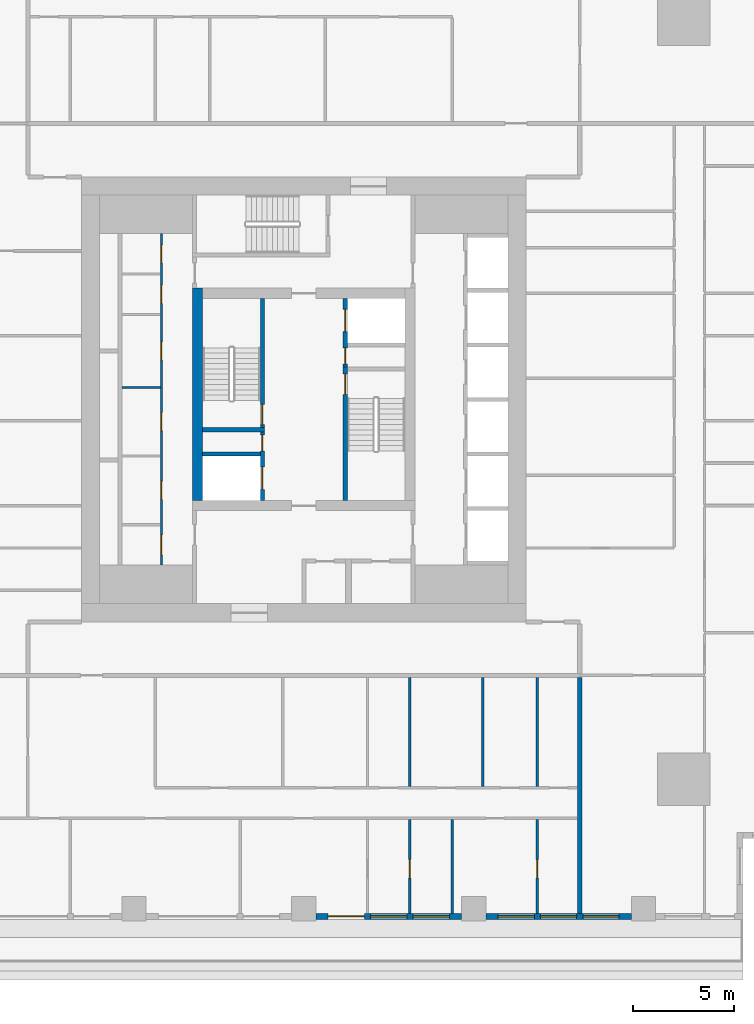
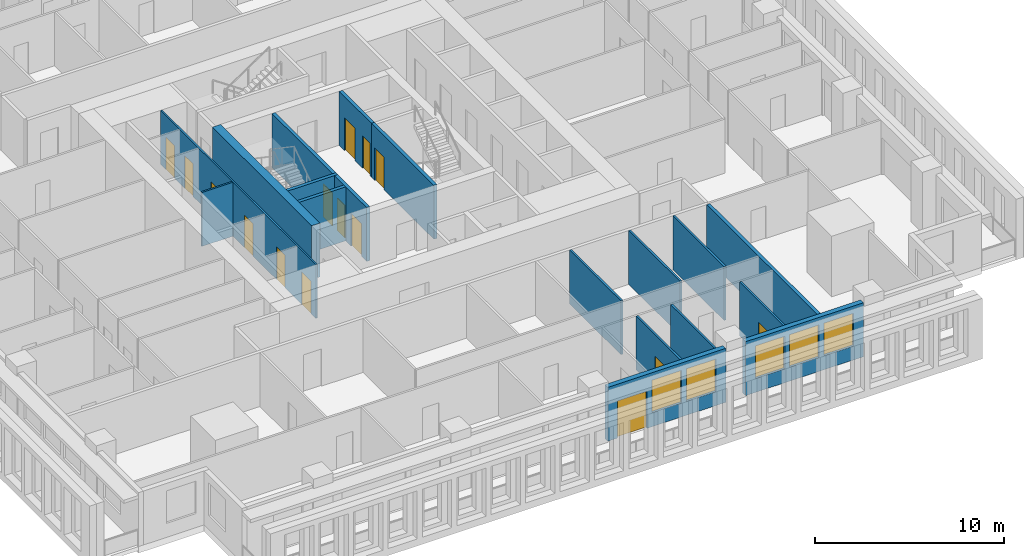
# One storey, part 4 of 16: 18 walls, 15 doors, 5 windows, 20 openings.
"""IFC4 building model written with IfcOpenShell, lengths in metres."""

import ifcopenshell
import ifcopenshell.guid

model = None  # the IFC model being written
_history = None  # IfcOwnerHistory: only IFC2X3 demands one
_inside = {}  # id of a spatial element -> (the spatial element, [elements in it])
_under = {}  # id of a project, library or spatial element -> (it, [spatial elements below it])
_declared = {}  # id of a project -> (the project, [libraries it declares])
_typed = {}  # id of a type object -> (the type object, [elements of that type])
_made_of = {}  # id of a material, layer set ... -> (it, [elements and type objects made of it])


def new_model(schema):
    """Start an empty IFC model of exactly this schema.

    Asked for "IFC4X3", IfcOpenShell would pick the latest addendum, in which some entities
    have other attributes; the version numbers below select the first issue.
    IFC2X3 requires an IfcOwnerHistory on every rooted entity: one is made here for all.
    """
    global model, _history
    if schema == "IFC4X3":
        model = ifcopenshell.file(schema_version=(4, 3, 0, 0))
    else:
        model = ifcopenshell.file(schema=schema)
    _inside.clear()
    _under.clear()
    _declared.clear()
    _typed.clear()
    _made_of.clear()
    _history = None
    if model.schema == "IFC2X3":
        org = make("IfcOrganization", Name="unknown")
        user = make(
            "IfcPersonAndOrganization",
            ThePerson=make("IfcPerson", FamilyName="unknown"),
            TheOrganization=org,
        )
        app = make(
            "IfcApplication",
            ApplicationDeveloper=org,
            Version="unknown",
            ApplicationFullName="unknown",
            ApplicationIdentifier="unknown",
        )
        _history = make(
            "IfcOwnerHistory",
            OwningUser=user,
            OwningApplication=app,
            ChangeAction="ADDED",
            CreationDate=0,
        )
    return model


def make(cls, **values):
    """One entity of the class cls with the attributes given. An attribute that is None is left unset."""
    return model.create_entity(
        cls, **{name: value for name, value in values.items() if value is not None}
    )


def rooted(cls, **values):
    """An entity with a GlobalId (a new one), such as an element, a storey or a relation."""
    return make(cls, GlobalId=ifcopenshell.guid.new(), OwnerHistory=_history, **values)


def si_unit(unit_type, name, prefix=None):
    """IfcSIUnit, for example si_unit("LENGTHUNIT", "METRE", prefix="MILLI")."""
    return make("IfcSIUnit", UnitType=unit_type, Prefix=prefix, Name=name)


def assignment(units):
    """IfcUnitAssignment: the units of a project."""
    return None if units is None else make("IfcUnitAssignment", Units=units)


def point(xyz):
    """IfcCartesianPoint."""
    return None if xyz is None else make("IfcCartesianPoint", Coordinates=xyz)


def direction(xyz):
    """IfcDirection."""
    return None if xyz is None else make("IfcDirection", DirectionRatios=xyz)


def frame(location, z_axis=None, x_axis=None):
    """IfcAxis2Placement3D, a coordinate frame: its origin and axes. An axis left out is left unset."""
    return make(
        "IfcAxis2Placement3D",
        Location=point(location),
        Axis=direction(z_axis),
        RefDirection=direction(x_axis),
    )


def frame_2d(location, x_axis=None):
    """IfcAxis2Placement2D, a coordinate frame in the plane: its origin and x axis."""
    return make(
        "IfcAxis2Placement2D", Location=point(location), RefDirection=direction(x_axis)
    )


def origin():
    """The frame at (0, 0, 0) with its axes left unset."""
    return frame((0.0, 0.0, 0.0))


def place(relative_to, where):
    """IfcLocalPlacement: puts the frame where relative to a parent placement (None: the world)."""
    return make(
        "IfcLocalPlacement", PlacementRelTo=relative_to, RelativePlacement=where
    )


def context(
    kind, dimensions, precision=None, world=None, true_north=None, identifier=None
):
    """IfcGeometricRepresentationContext, for example the 3D "Model" context."""
    return make(
        "IfcGeometricRepresentationContext",
        ContextIdentifier=identifier,
        ContextType=kind,
        CoordinateSpaceDimension=dimensions,
        Precision=precision,
        WorldCoordinateSystem=world,
        TrueNorth=true_north,
    )


def subcontext(parent, identifier, kind, view, scale=None):
    """IfcGeometricRepresentationSubContext, for example "Body" below "Model"."""
    return make(
        "IfcGeometricRepresentationSubContext",
        ContextIdentifier=identifier,
        ContextType=kind,
        ParentContext=parent,
        TargetScale=scale,
        TargetView=view,
    )


def project(units=None, contexts=None):
    """IfcProject with its units and contexts."""
    return rooted(
        "IfcProject",
        Name="project",
        RepresentationContexts=contexts,
        UnitsInContext=assignment(units),
    )


def spatial(cls, under=None, at=None, **own):
    """A site, building, storey or space (cls), placed at a placement, below another one or the project."""
    s = rooted(cls, ObjectPlacement=at, **own)
    if under is not None:
        _under.setdefault(under.id(), (under, []))[1].append(s)
    return s


def profile(cls, at=None, kind="AREA", **sizes):
    """A parametric profile (cls). Its sizes go by their IFC names, for example OverallWidth=200.0."""
    return make(cls, ProfileType=kind, Position=at, **sizes)


def rectangle(**sizes):
    """IfcRectangleProfileDef."""
    return profile("IfcRectangleProfileDef", **sizes)


def extrude(swept, where, along, depth):
    """IfcExtrudedAreaSolid: the profile swept, set in the frame where, extruded along a direction by depth."""
    return make(
        "IfcExtrudedAreaSolid",
        SweptArea=swept,
        Position=where,
        ExtrudedDirection=direction(along),
        Depth=depth,
    )


def shape(context_of_items, identifier, shape_type, items):
    """IfcShapeRepresentation: the items that make up one representation, for example the "Body"."""
    return make(
        "IfcShapeRepresentation",
        ContextOfItems=context_of_items,
        RepresentationIdentifier=identifier,
        RepresentationType=shape_type,
        Items=items,
    )


def material(Name=None, Category=None):
    """IfcMaterial."""
    return make("IfcMaterial", Name=Name, Category=Category)


def layer(
    of_material, thickness, ventilated=None, Name=None, Category=None, Priority=None
):
    """IfcMaterialLayer: one layer of a wall or slab, of a material (None: an air gap)."""
    return make(
        "IfcMaterialLayer",
        Material=of_material,
        LayerThickness=thickness,
        IsVentilated=ventilated,
        Name=Name,
        Category=Category,
        Priority=Priority,
    )


def layer_set(layers, Name=None):
    """IfcMaterialLayerSet."""
    return make("IfcMaterialLayerSet", MaterialLayers=layers, LayerSetName=Name)


def made_of(thing, what):
    """Note that an element or type object is made of a material, layer set ...; save() writes the relation."""
    if what is not None:
        _made_of.setdefault(what.id(), (what, []))[1].append(thing)
    return thing


def type_object(cls, material=None, **own):
    """A type object (cls), such as IfcWallType, which elements share."""
    return made_of(rooted(cls, **own), material)


def element(
    cls,
    number,
    at=None,
    inside=None,
    cuts=None,
    type_object=None,
    material=None,
    context=None,
    identifier="Body",
    shape_type=None,
    held_by="IfcProductDefinitionShape",
    body=None,
    shapes=None,
    **own,
):
    """One element of the class cls, such as IfcWall. Its Tag is "e" and its number.

    at: its placement. inside: the storey or other place that contains it. cuts: it is an
    opening in that element (IfcRelVoidsElement). A single representation is given by context,
    identifier, shape_type and body (its items); several are given by shapes. held_by: the class
    of the entity that holds the representations. save() writes the other relations.
    """
    e = rooted(cls, Tag="e%d" % number, ObjectPlacement=at, **own)
    if body is not None:
        shapes = [shape(context, identifier, shape_type, body)]
    if shapes is not None:
        e.Representation = make(held_by, Representations=shapes)
    if inside is not None:
        _inside.setdefault(inside.id(), (inside, []))[1].append(e)
    if cuts is not None:
        rooted(
            "IfcRelVoidsElement", RelatingBuildingElement=cuts, RelatedOpeningElement=e
        )
    if type_object is not None:
        _typed.setdefault(type_object.id(), (type_object, []))[1].append(e)
    return made_of(e, material)


def fill(opening, filler):
    """IfcRelFillsElement: the door or window that sits in an opening."""
    return rooted(
        "IfcRelFillsElement",
        RelatingOpeningElement=opening,
        RelatedBuildingElement=filler,
    )


def aggregate(whole, parts):
    """IfcRelAggregates: a whole, such as a stair, and the parts it consists of."""
    return rooted("IfcRelAggregates", RelatingObject=whole, RelatedObjects=parts)


def save(model, path):
    """Write the relations noted so far, then the file.

    IfcRelAggregates (storeys below a building ...), IfcRelContainedInSpatialStructure (elements
    in a storey), IfcRelDefinesByType, IfcRelAssociatesMaterial and IfcRelDeclares: one each for
    every whole, place, type object, material and project.
    """
    for whole, parts in _under.values():
        aggregate(whole, parts)
    for where, things in _inside.values():
        rooted(
            "IfcRelContainedInSpatialStructure",
            RelatedElements=things,
            RelatingStructure=where,
        )
    for kind, things in _typed.values():
        rooted("IfcRelDefinesByType", RelatedObjects=things, RelatingType=kind)
    for what, things in _made_of.values():
        rooted("IfcRelAssociatesMaterial", RelatedObjects=things, RelatingMaterial=what)
    for by, libraries in _declared.values():
        rooted("IfcRelDeclares", RelatingContext=by, RelatedDefinitions=libraries)
    model.write(path)


model = new_model("IFC4")

# Units and contexts
model_context = context("Model", 3, precision=1e-05, world=origin(), true_north=direction((0.0, 1.0)))
body_context = subcontext(model_context, "Body", "Model", "MODEL_VIEW")
ifc_project = project(units=[si_unit("LENGTHUNIT", "METRE"), si_unit("AREAUNIT", "SQUARE_METRE"), si_unit("VOLUMEUNIT", "CUBIC_METRE"), si_unit("PLANEANGLEUNIT", "RADIAN"), si_unit("MASSUNIT", "GRAM", prefix="KILO")], contexts=[model_context])

# Site, building, storey
site_placement = place(None, origin())
site = spatial("IfcSite", under=ifc_project, at=site_placement, CompositionType="ELEMENT")
building_placement = place(site_placement, origin())
building = spatial("IfcBuilding", under=site, at=building_placement, Name="Khepri Terraces", CompositionType="ELEMENT")
storey_placement = place(building_placement, frame((0.0, 0.0, 149.39990234375)))
storey = spatial("IfcBuildingStorey", under=building, at=storey_placement, Name="L35", CompositionType="ELEMENT", Elevation=149.39990234375)

# Wall, opening, door
ifc_material_1 = material(Name="Concrete C60/75", Category="concrete")
ifc_layer_1 = layer(ifc_material_1, 0.199951171875, Name="Concrete C60/75", Category="concrete")
ifc_layer_set_1 = layer_set([ifc_layer_1], Name="Concrete C60/75")
wall_type_1 = type_object("IfcWallType", Name="Core wall 200 C60/75", PredefinedType="SHEAR", material=ifc_layer_set_1)
wall_1_placement = place(storey_placement, frame((2.050048828125, -5.0, 0.0), z_axis=(0.0, 0.0, 1.0), x_axis=(0.0, 1.0, 0.0)))
wall_1 = element("IfcWall", 1, at=wall_1_placement, inside=storey, type_object=wall_type_1, Name="Core wall ST01 L35", PredefinedType="SHEAR", context=body_context, shape_type="SweptSolid", body=[
    extrude(rectangle(XDim=6.60009765625, YDim=0.199951171875, at=frame_2d((3.300048828125, 0.0))), origin(), (0.0, 0.0, 1.0), 3.47998046875),
])
opening_1_placement = place(wall_1_placement, frame((5.25, 0.0, 0.0)))
opening_1 = element("IfcOpeningElement", 2, at=opening_1_placement, cuts=wall_1, Name="Opening L35-C10", PredefinedType="OPENING", context=body_context, shape_type="SweptSolid", body=[
    extrude(rectangle(XDim=1.0, YDim=2.10009765625, at=frame_2d((0.5, 1.050048828125))), frame((0.0, 0.10986328125, 0.0), z_axis=(0.0, -1.0, 0.0), x_axis=(1.0, 0.0, 0.0)), (0.0, 0.0, 1.0), 0.219970703125),
])
ifc_material_2 = material(Name="Painted steel", Category="steel")
door_type_1 = type_object("IfcDoorType", Name="DR-CORE-STAIR-1000", OperationType="NOTDEFINED", PredefinedType="DOOR", material=ifc_material_2)
door_1_placement = place(opening_1_placement, frame((1.0, 0.0, 0.0), z_axis=(0.0, 0.0, 1.0), x_axis=(-1.0, 0.0, 0.0)))
door_1 = element("IfcDoor", 3, at=door_1_placement, inside=storey, type_object=door_type_1, Name="Stair door L35-C10", OperationType="SINGLE_SWING_LEFT", OverallHeight=2.10009765625, OverallWidth=1.0, PredefinedType="DOOR", context=body_context, shape_type="SweptSolid", body=[
    extrude(rectangle(XDim=1.0, YDim=2.10009765625, at=frame_2d((0.5, 1.050048828125))), frame((0.0, 0.02490234375, 0.0), z_axis=(0.0, -1.0, 0.0), x_axis=(1.0, 0.0, 0.0)), (0.0, 0.0, 1.0), 0.050048828125),
])
fill(opening_1, door_1)

# Wall
wall_2_placement = place(storey_placement, frame((-5.0, -1.5, 0.0), z_axis=(0.0, 0.0, 1.0), x_axis=(1.0, 0.0, 0.0)))
element("IfcWall", 4, at=wall_2_placement, inside=storey, type_object=wall_type_1, Name="Core wall ST02 L35", PredefinedType="SHEAR", context=body_context, shape_type="SweptSolid", body=[
    extrude(rectangle(XDim=3.050048828125, YDim=0.199951171875, at=frame_2d((1.52490234375, 0.0))), origin(), (0.0, 0.0, 1.0), 3.47998046875),
])

# Wall, opening, door
wall_3_placement = place(storey_placement, frame((-2.050048828125, -1.39990234375, 0.0), z_axis=(0.0, 0.0, 1.0), x_axis=(0.0, 1.0, 0.0)))
wall_3 = element("IfcWall", 5, at=wall_3_placement, inside=storey, type_object=wall_type_1, Name="Core wall ST03 L35", PredefinedType="SHEAR", context=body_context, shape_type="SweptSolid", body=[
    extrude(rectangle(XDim=6.39990234375, YDim=0.199951171875, at=frame_2d((3.199951171875, 0.0))), origin(), (0.0, 0.0, 1.0), 3.47998046875),
])
opening_2_placement = place(wall_3_placement, frame((0.14990234375, 0.0, 0.0)))
opening_2 = element("IfcOpeningElement", 6, at=opening_2_placement, cuts=wall_3, Name="Opening L35-C09", PredefinedType="OPENING", context=body_context, shape_type="SweptSolid", body=[
    extrude(rectangle(XDim=1.0, YDim=2.10009765625, at=frame_2d((0.5, 1.050048828125))), frame((0.0, 0.10986328125, 0.0), z_axis=(0.0, -1.0, 0.0), x_axis=(1.0, 0.0, 0.0)), (0.0, 0.0, 1.0), 0.219970703125),
])
door_2_placement = place(opening_2_placement, origin())
door_2 = element("IfcDoor", 7, at=door_2_placement, inside=storey, type_object=door_type_1, Name="Stair door L35-C09", OperationType="SINGLE_SWING_LEFT", OverallHeight=2.10009765625, OverallWidth=1.0, PredefinedType="DOOR", context=body_context, shape_type="SweptSolid", body=[
    extrude(rectangle(XDim=1.0, YDim=2.10009765625, at=frame_2d((0.5, 1.050048828125))), frame((0.0, 0.02490234375, 0.0), z_axis=(0.0, -1.0, 0.0), x_axis=(1.0, 0.0, 0.0)), (0.0, 0.0, 1.0), 0.050048828125),
])
fill(opening_2, door_2)

# Wall, openings, doors
wall_4_placement = place(storey_placement, frame((-2.050048828125, -5.0, 0.0), z_axis=(0.0, 0.0, 1.0), x_axis=(0.0, 1.0, 0.0)))
wall_4 = element("IfcWall", 8, at=wall_4_placement, inside=storey, type_object=wall_type_1, Name="Core wall SH05 L35", PredefinedType="SHEAR", context=body_context, shape_type="SweptSolid", body=[
    extrude(rectangle(XDim=3.39990234375, YDim=0.199951171875, at=frame_2d((1.699951171875, 0.0))), origin(), (0.0, 0.0, 1.0), 3.47998046875),
])
opening_3_placement = place(wall_4_placement, frame((0.550048828125, 0.0, 0.0)))
opening_3 = element("IfcOpeningElement", 9, at=opening_3_placement, cuts=wall_4, Name="Opening L35-C08", PredefinedType="OPENING", context=body_context, shape_type="SweptSolid", body=[
    extrude(rectangle(XDim=1.10009765625, YDim=2.10009765625, at=frame_2d((0.550048828125, 1.050048828125))), frame((0.0, 0.10986328125, 0.0), z_axis=(0.0, -1.0, 0.0), x_axis=(1.0, 0.0, 0.0)), (0.0, 0.0, 1.0), 0.219970703125),
])
opening_4_placement = place(wall_4_placement, frame((2.449951171875, 0.0, 0.0)))
opening_4 = element("IfcOpeningElement", 10, at=opening_4_placement, cuts=wall_4, Name="Opening L35-C12", PredefinedType="OPENING", context=body_context, shape_type="SweptSolid", body=[
    extrude(rectangle(XDim=0.800048828125, YDim=2.10009765625, at=frame_2d((0.39990234375, 1.050048828125))), frame((0.0, 0.10986328125, 0.0), z_axis=(0.0, -1.0, 0.0), x_axis=(1.0, 0.0, 0.0)), (0.0, 0.0, 1.0), 0.219970703125),
])
ifc_material_3 = material(Name="Stainless steel 304", Category="steel")
door_type_2 = type_object("IfcDoorType", Name="DR-CORE-FF-LANDING-1100", OperationType="NOTDEFINED", PredefinedType="DOOR", material=ifc_material_3)
door_3_placement = place(opening_3_placement, origin())
door_3 = element("IfcDoor", 11, at=door_3_placement, inside=storey, type_object=door_type_2, Name="Firefighting lift landing door L35-C08", OperationType="SLIDING_TO_LEFT", OverallHeight=2.10009765625, OverallWidth=1.10009765625, PredefinedType="DOOR", context=body_context, shape_type="SweptSolid", body=[
    extrude(rectangle(XDim=1.10009765625, YDim=2.10009765625, at=frame_2d((0.550048828125, 1.050048828125))), frame((0.0, 0.02490234375, 0.0), z_axis=(0.0, -1.0, 0.0), x_axis=(1.0, 0.0, 0.0)), (0.0, 0.0, 1.0), 0.050048828125),
])
fill(opening_3, door_3)
door_type_3 = type_object("IfcDoorType", Name="DR-CORE-RISER-800", OperationType="NOTDEFINED", PredefinedType="DOOR", material=ifc_material_2)
door_4_placement = place(opening_4_placement, origin())
door_4 = element("IfcDoor", 12, at=door_4_placement, inside=storey, type_object=door_type_3, Name="Riser door L35-C12", OperationType="SINGLE_SWING_RIGHT", OverallHeight=2.10009765625, OverallWidth=0.800048828125, PredefinedType="DOOR", context=body_context, shape_type="SweptSolid", body=[
    extrude(rectangle(XDim=0.800048828125, YDim=2.10009765625, at=frame_2d((0.39990234375, 1.050048828125))), frame((0.0, 0.02490234375, 0.0), z_axis=(0.0, -1.0, 0.0), x_axis=(1.0, 0.0, 0.0)), (0.0, 0.0, 1.0), 0.050048828125),
])
fill(opening_4, door_4)

# Wall
wall_5_placement = place(storey_placement, frame((-5.0, -2.699951171875, 0.0), z_axis=(0.0, 0.0, 1.0), x_axis=(1.0, 0.0, 0.0)))
element("IfcWall", 13, at=wall_5_placement, inside=storey, type_object=wall_type_1, Name="Core wall SH07 L35", PredefinedType="SHEAR", context=body_context, shape_type="SweptSolid", body=[
    extrude(rectangle(XDim=2.85009765625, YDim=0.199951171875, at=frame_2d((1.425048828125, 0.0))), origin(), (0.0, 0.0, 1.0), 3.47998046875),
])

# Wall, openings, doors
wall_6_placement = place(storey_placement, frame((2.050048828125, 1.60009765625, 0.0), z_axis=(0.0, 0.0, 1.0), x_axis=(0.0, 1.0, 0.0)))
wall_6 = element("IfcWall", 14, at=wall_6_placement, inside=storey, type_object=wall_type_1, Name="Core wall SH10 L35", PredefinedType="SHEAR", context=body_context, shape_type="SweptSolid", body=[
    extrude(rectangle(XDim=3.39990234375, YDim=0.199951171875, at=frame_2d((1.699951171875, 0.0))), origin(), (0.0, 0.0, 1.0), 3.47998046875),
])
opening_5_placement = place(wall_6_placement, frame((1.75, 0.0, 0.0)))
opening_5 = element("IfcOpeningElement", 15, at=opening_5_placement, cuts=wall_6, Name="Opening L35-C07", PredefinedType="OPENING", context=body_context, shape_type="SweptSolid", body=[
    extrude(rectangle(XDim=1.10009765625, YDim=2.10009765625, at=frame_2d((0.550048828125, 1.050048828125))), frame((0.0, 0.10986328125, 0.0), z_axis=(0.0, -1.0, 0.0), x_axis=(1.0, 0.0, 0.0)), (0.0, 0.0, 1.0), 0.219970703125),
])
opening_6_placement = place(wall_6_placement, frame((0.14990234375, 0.0, 0.0)))
opening_6 = element("IfcOpeningElement", 16, at=opening_6_placement, cuts=wall_6, Name="Opening L35-C11", PredefinedType="OPENING", context=body_context, shape_type="SweptSolid", body=[
    extrude(rectangle(XDim=0.800048828125, YDim=2.10009765625, at=frame_2d((0.39990234375, 1.050048828125))), frame((0.0, 0.10986328125, 0.0), z_axis=(0.0, -1.0, 0.0), x_axis=(1.0, 0.0, 0.0)), (0.0, 0.0, 1.0), 0.219970703125),
])
door_5_placement = place(opening_5_placement, origin())
door_5 = element("IfcDoor", 17, at=door_5_placement, inside=storey, type_object=door_type_2, Name="Firefighting lift landing door L35-C07", OperationType="SLIDING_TO_LEFT", OverallHeight=2.10009765625, OverallWidth=1.10009765625, PredefinedType="DOOR", context=body_context, shape_type="SweptSolid", body=[
    extrude(rectangle(XDim=1.10009765625, YDim=2.10009765625, at=frame_2d((0.550048828125, 1.050048828125))), frame((0.0, 0.02490234375, 0.0), z_axis=(0.0, -1.0, 0.0), x_axis=(1.0, 0.0, 0.0)), (0.0, 0.0, 1.0), 0.050048828125),
])
fill(opening_5, door_5)
door_6_placement = place(opening_6_placement, frame((0.800048828125, 0.0, 0.0), z_axis=(0.0, 0.0, 1.0), x_axis=(-1.0, 0.0, 0.0)))
door_6 = element("IfcDoor", 18, at=door_6_placement, inside=storey, type_object=door_type_3, Name="Riser door L35-C11", OperationType="SINGLE_SWING_RIGHT", OverallHeight=2.10009765625, OverallWidth=0.800048828125, PredefinedType="DOOR", context=body_context, shape_type="SweptSolid", body=[
    extrude(rectangle(XDim=0.800048828125, YDim=2.10009765625, at=frame_2d((0.39990234375, 1.050048828125))), frame((0.0, 0.02490234375, 0.0), z_axis=(0.0, -1.0, 0.0), x_axis=(1.0, 0.0, 0.0)), (0.0, 0.0, 1.0), 0.050048828125),
])
fill(opening_6, door_6)

# Wall
ifc_layer_2 = layer(ifc_material_1, 0.5, Name="Concrete C60/75", Category="concrete")
ifc_layer_set_2 = layer_set([ifc_layer_2], Name="Concrete C60/75")
wall_type_2 = type_object("IfcWallType", Name="Core wall 500 C60/75", PredefinedType="SHEAR", material=ifc_layer_set_2)
wall_7_placement = place(storey_placement, frame((-5.25, -5.0, 0.0), z_axis=(0.0, 0.0, 1.0), x_axis=(0.0, 1.0, 0.0)))
element("IfcWall", 19, at=wall_7_placement, inside=storey, type_object=wall_type_2, Name="Core wall BX02 L35", PredefinedType="SHEAR", context=body_context, shape_type="SweptSolid", body=[
    extrude(rectangle(XDim=10.5, YDim=0.5, at=frame_2d((5.25, 0.0))), origin(), (0.0, 0.0, 1.0), 3.47998046875),
])

# Wall, openings, doors
ifc_material_4 = material(Name="Fire-rated gypsum board partition")
ifc_layer_3 = layer(ifc_material_4, 0.10009765625, Name="Fire-rated gypsum board partition")
ifc_layer_set_3 = layer_set([ifc_layer_3], Name="Fire-rated gypsum board partition")
wall_type_3 = type_object("IfcWallType", Name="WL-CORE-PART-100", PredefinedType="PARTITIONING", material=ifc_layer_set_3)
wall_8_placement = place(storey_placement, frame((-7.050048828125, -8.199951171875, 0.0), z_axis=(0.0, 0.0, 1.0), x_axis=(0.0, 1.0, 0.0)))
wall_8 = element("IfcWall", 20, at=wall_8_placement, inside=storey, type_object=wall_type_3, Name="Core partition PT05 L35", PredefinedType="PARTITIONING", context=body_context, shape_type="SweptSolid", body=[
    extrude(rectangle(XDim=16.39990234375, YDim=0.10009765625, at=frame_2d((8.199951171875, 0.0))), origin(), (0.0, 0.0, 1.0), 3.47998046875),
])
opening_7_placement = place(wall_8_placement, frame((0.5, 0.0, 0.0)))
opening_7 = element("IfcOpeningElement", 21, at=opening_7_placement, cuts=wall_8, Name="Opening L35-C24", PredefinedType="OPENING", context=body_context, shape_type="SweptSolid", body=[
    extrude(rectangle(XDim=1.0, YDim=2.10009765625, at=frame_2d((0.5, 1.050048828125))), frame((0.0, 0.06005859375, 0.0), z_axis=(0.0, -1.0, 0.0), x_axis=(1.0, 0.0, 0.0)), (0.0, 0.0, 1.0), 0.1201171875),
])
opening_8_placement = place(wall_8_placement, frame((3.25, 0.0, 0.0)))
opening_8 = element("IfcOpeningElement", 22, at=opening_8_placement, cuts=wall_8, Name="Opening L35-C25", PredefinedType="OPENING", context=body_context, shape_type="SweptSolid", body=[
    extrude(rectangle(XDim=0.89990234375, YDim=2.10009765625, at=frame_2d((0.449951171875, 1.050048828125))), frame((0.0, 0.06005859375, 0.0), z_axis=(0.0, -1.0, 0.0), x_axis=(1.0, 0.0, 0.0)), (0.0, 0.0, 1.0), 0.1201171875),
])
opening_9_placement = place(wall_8_placement, frame((6.64990234375, 0.0, 0.0)))
opening_9 = element("IfcOpeningElement", 23, at=opening_9_placement, cuts=wall_8, Name="Opening L35-C26", PredefinedType="OPENING", context=body_context, shape_type="SweptSolid", body=[
    extrude(rectangle(XDim=0.89990234375, YDim=2.10009765625, at=frame_2d((0.449951171875, 1.050048828125))), frame((0.0, 0.06005859375, 0.0), z_axis=(0.0, -1.0, 0.0), x_axis=(1.0, 0.0, 0.0)), (0.0, 0.0, 1.0), 0.1201171875),
])
opening_10_placement = place(wall_8_placement, frame((10.14990234375, 0.0, 0.0)))
opening_10 = element("IfcOpeningElement", 24, at=opening_10_placement, cuts=wall_8, Name="Opening L35-C27", PredefinedType="OPENING", context=body_context, shape_type="SweptSolid", body=[
    extrude(rectangle(XDim=0.89990234375, YDim=2.10009765625, at=frame_2d((0.449951171875, 1.050048828125))), frame((0.0, 0.06005859375, 0.0), z_axis=(0.0, -1.0, 0.0), x_axis=(1.0, 0.0, 0.0)), (0.0, 0.0, 1.0), 0.1201171875),
])
opening_11_placement = place(wall_8_placement, frame((12.949951171875, 0.0, 0.0)))
opening_11 = element("IfcOpeningElement", 25, at=opening_11_placement, cuts=wall_8, Name="Opening L35-C28", PredefinedType="OPENING", context=body_context, shape_type="SweptSolid", body=[
    extrude(rectangle(XDim=0.89990234375, YDim=2.10009765625, at=frame_2d((0.449951171875, 1.050048828125))), frame((0.0, 0.06005859375, 0.0), z_axis=(0.0, -1.0, 0.0), x_axis=(1.0, 0.0, 0.0)), (0.0, 0.0, 1.0), 0.1201171875),
])
opening_12_placement = place(wall_8_placement, frame((14.949951171875, 0.0, 0.0)))
opening_12 = element("IfcOpeningElement", 26, at=opening_12_placement, cuts=wall_8, Name="Opening L35-C29", PredefinedType="OPENING", context=body_context, shape_type="SweptSolid", body=[
    extrude(rectangle(XDim=0.89990234375, YDim=2.10009765625, at=frame_2d((0.449951171875, 1.050048828125))), frame((0.0, 0.06005859375, 0.0), z_axis=(0.0, -1.0, 0.0), x_axis=(1.0, 0.0, 0.0)), (0.0, 0.0, 1.0), 0.1201171875),
])
door_type_4 = type_object("IfcDoorType", Name="DR-CORE-SERVICE-900", OperationType="NOTDEFINED", PredefinedType="DOOR", material=ifc_material_2)
door_7_placement = place(opening_8_placement, origin())
door_7 = element("IfcDoor", 27, at=door_7_placement, inside=storey, type_object=door_type_4, Name="Service room door L35-C25", OperationType="SINGLE_SWING_LEFT", OverallHeight=2.10009765625, OverallWidth=0.89990234375, PredefinedType="DOOR", context=body_context, shape_type="SweptSolid", body=[
    extrude(rectangle(XDim=0.89990234375, YDim=2.10009765625, at=frame_2d((0.449951171875, 1.050048828125))), frame((0.0, 0.02490234375, 0.0), z_axis=(0.0, -1.0, 0.0), x_axis=(1.0, 0.0, 0.0)), (0.0, 0.0, 1.0), 0.050048828125),
])
fill(opening_8, door_7)
door_8_placement = place(opening_9_placement, origin())
door_8 = element("IfcDoor", 28, at=door_8_placement, inside=storey, type_object=door_type_4, Name="Service room door L35-C26", OperationType="SINGLE_SWING_LEFT", OverallHeight=2.10009765625, OverallWidth=0.89990234375, PredefinedType="DOOR", context=body_context, shape_type="SweptSolid", body=[
    extrude(rectangle(XDim=0.89990234375, YDim=2.10009765625, at=frame_2d((0.449951171875, 1.050048828125))), frame((0.0, 0.02490234375, 0.0), z_axis=(0.0, -1.0, 0.0), x_axis=(1.0, 0.0, 0.0)), (0.0, 0.0, 1.0), 0.050048828125),
])
fill(opening_9, door_8)
door_9_placement = place(opening_10_placement, origin())
door_9 = element("IfcDoor", 29, at=door_9_placement, inside=storey, type_object=door_type_4, Name="Service room door L35-C27", OperationType="SINGLE_SWING_RIGHT", OverallHeight=2.10009765625, OverallWidth=0.89990234375, PredefinedType="DOOR", context=body_context, shape_type="SweptSolid", body=[
    extrude(rectangle(XDim=0.89990234375, YDim=2.10009765625, at=frame_2d((0.449951171875, 1.050048828125))), frame((0.0, 0.02490234375, 0.0), z_axis=(0.0, -1.0, 0.0), x_axis=(1.0, 0.0, 0.0)), (0.0, 0.0, 1.0), 0.050048828125),
])
fill(opening_10, door_9)
door_10_placement = place(opening_11_placement, origin())
door_10 = element("IfcDoor", 30, at=door_10_placement, inside=storey, type_object=door_type_4, Name="Service room door L35-C28", OperationType="SINGLE_SWING_RIGHT", OverallHeight=2.10009765625, OverallWidth=0.89990234375, PredefinedType="DOOR", context=body_context, shape_type="SweptSolid", body=[
    extrude(rectangle(XDim=0.89990234375, YDim=2.10009765625, at=frame_2d((0.449951171875, 1.050048828125))), frame((0.0, 0.02490234375, 0.0), z_axis=(0.0, -1.0, 0.0), x_axis=(1.0, 0.0, 0.0)), (0.0, 0.0, 1.0), 0.050048828125),
])
fill(opening_11, door_10)
door_11_placement = place(opening_12_placement, origin())
door_11 = element("IfcDoor", 31, at=door_11_placement, inside=storey, type_object=door_type_4, Name="Service room door L35-C29", OperationType="SINGLE_SWING_RIGHT", OverallHeight=2.10009765625, OverallWidth=0.89990234375, PredefinedType="DOOR", context=body_context, shape_type="SweptSolid", body=[
    extrude(rectangle(XDim=0.89990234375, YDim=2.10009765625, at=frame_2d((0.449951171875, 1.050048828125))), frame((0.0, 0.02490234375, 0.0), z_axis=(0.0, -1.0, 0.0), x_axis=(1.0, 0.0, 0.0)), (0.0, 0.0, 1.0), 0.050048828125),
])
fill(opening_12, door_11)
ifc_material_5 = material(Name="Timber veneer", Category="wood")
door_type_5 = type_object("IfcDoorType", Name="DR-CORE-WC-1000", OperationType="NOTDEFINED", PredefinedType="DOOR", material=ifc_material_5)
door_12_placement = place(opening_7_placement, origin())
door_12 = element("IfcDoor", 32, at=door_12_placement, inside=storey, type_object=door_type_5, Name="WC door L35-C24", OperationType="SINGLE_SWING_LEFT", OverallHeight=2.10009765625, OverallWidth=1.0, PredefinedType="DOOR", context=body_context, shape_type="SweptSolid", body=[
    extrude(rectangle(XDim=1.0, YDim=2.10009765625, at=frame_2d((0.5, 1.050048828125))), frame((0.0, 0.02490234375, 0.0), z_axis=(0.0, -1.0, 0.0), x_axis=(1.0, 0.0, 0.0)), (0.0, 0.0, 1.0), 0.050048828125),
])
fill(opening_7, door_12)

# Walls
wall_9_placement = place(storey_placement, frame((-9.0, 0.60009765625, 0.0), z_axis=(0.0, 0.0, 1.0), x_axis=(1.0, 0.0, 0.0)))
element("IfcWall", 33, at=wall_9_placement, inside=storey, type_object=wall_type_3, Name="Core partition PT10 L35", PredefinedType="PARTITIONING", context=body_context, shape_type="SweptSolid", body=[
    extrude(rectangle(XDim=1.89990234375, YDim=0.10009765625, at=frame_2d((0.949951171875, 0.0))), origin(), (0.0, 0.0, 1.0), 3.47998046875),
])
ifc_material_6 = material(Name="Fire-rated gypsum plasterboard partition, mineral wool")
ifc_layer_4 = layer(ifc_material_6, 0.199951171875, Name="Fire-rated gypsum plasterboard partition, mineral wool")
ifc_layer_set_4 = layer_set([ifc_layer_4], Name="Fire-rated gypsum plasterboard partition, mineral wool")
wall_type_4 = type_object("IfcWallType", Name="WL-CORR-200", PredefinedType="PARTITIONING", material=ifc_layer_set_4)
wall_10_placement = place(storey_placement, frame((13.64990234375, -25.419921875, 0.0), z_axis=(0.0, 0.0, 1.0), x_axis=(0.0, 1.0, 0.0)))
element("IfcWall", 34, at=wall_10_placement, inside=storey, type_object=wall_type_4, Name="Partition P-007 L35", PredefinedType="PARTITIONING", context=body_context, shape_type="SweptSolid", body=[
    extrude(rectangle(XDim=11.669921875, YDim=0.199951171875, at=frame_2d((5.8349609375, 0.0))), origin(), (0.0, 0.0, 1.0), 3.47998046875),
])

# Wall, openings, door, windows
ifc_material_7 = material(Name="Precast concrete C50/60 warm stone", Category="masonry")
ifc_layer_5 = layer(ifc_material_7, 0.300048828125, Name="Precast concrete C50/60 warm stone", Category="masonry")
ifc_layer_set_5 = layer_set([ifc_layer_5], Name="Precast concrete C50/60 warm stone")
wall_type_5 = type_object("IfcWallType", Name="WL-EXT-PRECAST-300", PredefinedType="STANDARD", material=ifc_layer_set_5)
wall_11_placement = place(storey_placement, frame((0.60009765625, -25.570068359375, 0.0), z_axis=(0.0, 0.0, 1.0), x_axis=(1.0, 0.0, 0.0)))
wall_11 = element("IfcWall", 35, at=wall_11_placement, inside=storey, type_object=wall_type_5, Name="External wall L35 S", PredefinedType="STANDARD", context=body_context, shape_type="SweptSolid", body=[
    extrude(rectangle(XDim=7.199951171875, YDim=0.300048828125, at=frame_2d((3.60009765625, 0.0))), origin(), (0.0, 0.0, 1.0), 3.47998046875),
])
opening_13_placement = place(wall_11_placement, frame((0.60009765625, 0.0, 0.0)))
opening_13 = element("IfcOpeningElement", 36, at=opening_13_placement, cuts=wall_11, Name="Opening ED-L35-20", PredefinedType="OPENING", context=body_context, shape_type="SweptSolid", body=[
    extrude(rectangle(XDim=1.800048828125, YDim=2.39990234375, at=frame_2d((0.89990234375, 1.199951171875))), frame((0.0, 0.16015625, 0.0), z_axis=(0.0, -1.0, 0.0), x_axis=(1.0, 0.0, 0.0)), (0.0, 0.0, 1.0), 0.320068359375),
])
opening_14_placement = place(wall_11_placement, frame((2.699951171875, 0.0, 0.89990234375)))
opening_14 = element("IfcOpeningElement", 37, at=opening_14_placement, cuts=wall_11, Name="Opening W1", PredefinedType="OPENING", context=body_context, shape_type="SweptSolid", body=[
    extrude(rectangle(XDim=1.800048828125, YDim=2.10009765625, at=frame_2d((0.89990234375, 1.050048828125))), frame((0.0, 0.16015625, 0.0), z_axis=(0.0, -1.0, 0.0), x_axis=(1.0, 0.0, 0.0)), (0.0, 0.0, 1.0), 0.320068359375),
])
opening_15_placement = place(wall_11_placement, frame((4.800048828125, 0.0, 0.89990234375)))
opening_15 = element("IfcOpeningElement", 38, at=opening_15_placement, cuts=wall_11, Name="Opening W1", PredefinedType="OPENING", context=body_context, shape_type="SweptSolid", body=[
    extrude(rectangle(XDim=1.800048828125, YDim=2.10009765625, at=frame_2d((0.89990234375, 1.050048828125))), frame((0.0, 0.16015625, 0.0), z_axis=(0.0, -1.0, 0.0), x_axis=(1.0, 0.0, 0.0)), (0.0, 0.0, 1.0), 0.320068359375),
])
ifc_material_8 = material(Name="Anodised aluminium bronze glazed door", Category="aluminium")
door_type_6 = type_object("IfcDoorType", Name="DR-BAL-SLIDE-1800x2400", OperationType="NOTDEFINED", PredefinedType="DOOR", material=ifc_material_8)
door_13_placement = place(opening_13_placement, origin())
door_13 = element("IfcDoor", 39, at=door_13_placement, inside=storey, type_object=door_type_6, Name="Balcony door L35 S", OperationType="SLIDING_TO_LEFT", OverallHeight=2.39990234375, OverallWidth=1.800048828125, PredefinedType="DOOR", context=body_context, shape_type="SweptSolid", body=[
    extrude(rectangle(XDim=1.800048828125, YDim=2.39990234375, at=frame_2d((0.89990234375, 1.199951171875))), frame((0.0, 0.02490234375, 0.0), z_axis=(0.0, -1.0, 0.0), x_axis=(1.0, 0.0, 0.0)), (0.0, 0.0, 1.0), 0.050048828125),
])
fill(opening_13, door_13)
ifc_material_9 = material(Name="Clear glass", Category="glass")
window_type = type_object("IfcWindowType", Name="WIN-RES-1800x2100", PartitioningType="SINGLE_PANEL", PredefinedType="WINDOW", material=ifc_material_9)
window_1_placement = place(opening_14_placement, origin())
window_1 = element("IfcWindow", 40, at=window_1_placement, inside=storey, type_object=window_type, Name="Window L35 S", OverallHeight=2.10009765625, OverallWidth=1.800048828125, PartitioningType="SINGLE_PANEL", PredefinedType="WINDOW", context=body_context, shape_type="SweptSolid", body=[
    extrude(rectangle(XDim=1.800048828125, YDim=2.10009765625, at=frame_2d((0.89990234375, 1.050048828125))), frame((0.0, 0.030029296875, 0.0), z_axis=(0.0, -1.0, 0.0), x_axis=(1.0, 0.0, 0.0)), (0.0, 0.0, 1.0), 0.06005859375),
])
fill(opening_14, window_1)
window_2_placement = place(opening_15_placement, origin())
window_2 = element("IfcWindow", 41, at=window_2_placement, inside=storey, type_object=window_type, Name="Window L35 S", OverallHeight=2.10009765625, OverallWidth=1.800048828125, PartitioningType="SINGLE_PANEL", PredefinedType="WINDOW", context=body_context, shape_type="SweptSolid", body=[
    extrude(rectangle(XDim=1.800048828125, YDim=2.10009765625, at=frame_2d((0.89990234375, 1.050048828125))), frame((0.0, 0.030029296875, 0.0), z_axis=(0.0, -1.0, 0.0), x_axis=(1.0, 0.0, 0.0)), (0.0, 0.0, 1.0), 0.06005859375),
])
fill(opening_15, window_2)

# Wall, openings, windows
wall_12_placement = place(storey_placement, frame((9.0, -25.570068359375, 0.0), z_axis=(0.0, 0.0, 1.0), x_axis=(1.0, 0.0, 0.0)))
wall_12 = element("IfcWall", 42, at=wall_12_placement, inside=storey, type_object=wall_type_5, Name="External wall L35 S", PredefinedType="STANDARD", context=body_context, shape_type="SweptSolid", body=[
    extrude(rectangle(XDim=7.199951171875, YDim=0.300048828125, at=frame_2d((3.60009765625, 0.0))), origin(), (0.0, 0.0, 1.0), 3.47998046875),
])
opening_16_placement = place(wall_12_placement, frame((0.60009765625, 0.0, 0.89990234375)))
opening_16 = element("IfcOpeningElement", 43, at=opening_16_placement, cuts=wall_12, Name="Opening W1", PredefinedType="OPENING", context=body_context, shape_type="SweptSolid", body=[
    extrude(rectangle(XDim=1.800048828125, YDim=2.10009765625, at=frame_2d((0.89990234375, 1.050048828125))), frame((0.0, 0.16015625, 0.0), z_axis=(0.0, -1.0, 0.0), x_axis=(1.0, 0.0, 0.0)), (0.0, 0.0, 1.0), 0.320068359375),
])
opening_17_placement = place(wall_12_placement, frame((2.699951171875, 0.0, 0.89990234375)))
opening_17 = element("IfcOpeningElement", 44, at=opening_17_placement, cuts=wall_12, Name="Opening W1", PredefinedType="OPENING", context=body_context, shape_type="SweptSolid", body=[
    extrude(rectangle(XDim=1.800048828125, YDim=2.10009765625, at=frame_2d((0.89990234375, 1.050048828125))), frame((0.0, 0.16015625, 0.0), z_axis=(0.0, -1.0, 0.0), x_axis=(1.0, 0.0, 0.0)), (0.0, 0.0, 1.0), 0.320068359375),
])
opening_18_placement = place(wall_12_placement, frame((4.800048828125, 0.0, 0.89990234375)))
opening_18 = element("IfcOpeningElement", 45, at=opening_18_placement, cuts=wall_12, Name="Opening W1", PredefinedType="OPENING", context=body_context, shape_type="SweptSolid", body=[
    extrude(rectangle(XDim=1.800048828125, YDim=2.10009765625, at=frame_2d((0.89990234375, 1.050048828125))), frame((0.0, 0.16015625, 0.0), z_axis=(0.0, -1.0, 0.0), x_axis=(1.0, 0.0, 0.0)), (0.0, 0.0, 1.0), 0.320068359375),
])
window_3_placement = place(opening_16_placement, origin())
window_3 = element("IfcWindow", 46, at=window_3_placement, inside=storey, type_object=window_type, Name="Window L35 S", OverallHeight=2.10009765625, OverallWidth=1.800048828125, PartitioningType="SINGLE_PANEL", PredefinedType="WINDOW", context=body_context, shape_type="SweptSolid", body=[
    extrude(rectangle(XDim=1.800048828125, YDim=2.10009765625, at=frame_2d((0.89990234375, 1.050048828125))), frame((0.0, 0.030029296875, 0.0), z_axis=(0.0, -1.0, 0.0), x_axis=(1.0, 0.0, 0.0)), (0.0, 0.0, 1.0), 0.06005859375),
])
fill(opening_16, window_3)
window_4_placement = place(opening_17_placement, origin())
window_4 = element("IfcWindow", 47, at=window_4_placement, inside=storey, type_object=window_type, Name="Window L35 S", OverallHeight=2.10009765625, OverallWidth=1.800048828125, PartitioningType="SINGLE_PANEL", PredefinedType="WINDOW", context=body_context, shape_type="SweptSolid", body=[
    extrude(rectangle(XDim=1.800048828125, YDim=2.10009765625, at=frame_2d((0.89990234375, 1.050048828125))), frame((0.0, 0.030029296875, 0.0), z_axis=(0.0, -1.0, 0.0), x_axis=(1.0, 0.0, 0.0)), (0.0, 0.0, 1.0), 0.06005859375),
])
fill(opening_17, window_4)
window_5_placement = place(opening_18_placement, origin())
window_5 = element("IfcWindow", 48, at=window_5_placement, inside=storey, type_object=window_type, Name="Window L35 S", OverallHeight=2.10009765625, OverallWidth=1.800048828125, PartitioningType="SINGLE_PANEL", PredefinedType="WINDOW", context=body_context, shape_type="SweptSolid", body=[
    extrude(rectangle(XDim=1.800048828125, YDim=2.10009765625, at=frame_2d((0.89990234375, 1.050048828125))), frame((0.0, 0.030029296875, 0.0), z_axis=(0.0, -1.0, 0.0), x_axis=(1.0, 0.0, 0.0)), (0.0, 0.0, 1.0), 0.06005859375),
])
fill(opening_18, window_5)

# Wall, opening, door
ifc_material_10 = material(Name="Gypsum plasterboard partition")
ifc_layer_6 = layer(ifc_material_10, 0.1201171875, Name="Gypsum plasterboard partition")
ifc_layer_set_6 = layer_set([ifc_layer_6], Name="Gypsum plasterboard partition")
wall_type_6 = type_object("IfcWallType", Name="WL-PART-120", PredefinedType="PARTITIONING", material=ifc_layer_set_6)
wall_13_placement = place(storey_placement, frame((5.25, -25.419921875, 0.0), z_axis=(0.0, 0.0, 1.0), x_axis=(0.0, 1.0, 0.0)))
wall_13 = element("IfcWall", 49, at=wall_13_placement, inside=storey, type_object=wall_type_6, Name="Partition P-004 L35", PredefinedType="PARTITIONING", context=body_context, shape_type="SweptSolid", body=[
    extrude(rectangle(XDim=4.639892578125, YDim=0.1201171875, at=frame_2d((2.31982421875, 0.0))), origin(), (0.0, 0.0, 1.0), 3.47998046875),
])
opening_19_placement = place(wall_13_placement, frame((1.75, 0.0, 0.0)))
opening_19 = element("IfcOpeningElement", 50, at=opening_19_placement, cuts=wall_13, Name="Opening D4", PredefinedType="OPENING", context=body_context, shape_type="SweptSolid", body=[
    extrude(rectangle(XDim=0.89990234375, YDim=2.10009765625, at=frame_2d((0.449951171875, 1.050048828125))), frame((0.0, 0.070068359375, 0.0), z_axis=(0.0, -1.0, 0.0), x_axis=(1.0, 0.0, 0.0)), (0.0, 0.0, 1.0), 0.14013671875),
])
ifc_material_11 = material(Name="Timber door leaf, moisture resistant", Category="wood")
door_type_7 = type_object("IfcDoorType", Name="DR-WET-900", OperationType="NOTDEFINED", PredefinedType="DOOR", material=ifc_material_11)
door_14_placement = place(opening_19_placement, frame((0.89990234375, 0.0, 0.0), z_axis=(0.0, 0.0, 1.0), x_axis=(-1.0, 0.0, 0.0)))
door_14 = element("IfcDoor", 51, at=door_14_placement, inside=storey, type_object=door_type_7, Name="Door Bathroom", OperationType="SINGLE_SWING_RIGHT", OverallHeight=2.10009765625, OverallWidth=0.89990234375, PredefinedType="DOOR", context=body_context, shape_type="SweptSolid", body=[
    extrude(rectangle(XDim=0.89990234375, YDim=2.10009765625, at=frame_2d((0.449951171875, 1.050048828125))), frame((0.0, 0.02490234375, 0.0), z_axis=(0.0, -1.0, 0.0), x_axis=(1.0, 0.0, 0.0)), (0.0, 0.0, 1.0), 0.050048828125),
])
fill(opening_19, door_14)

# Wall
wall_14_placement = place(storey_placement, frame((7.35009765625, -25.419921875, 0.0), z_axis=(0.0, 0.0, 1.0), x_axis=(0.0, 1.0, 0.0)))
element("IfcWall", 52, at=wall_14_placement, inside=storey, type_object=wall_type_6, Name="Partition P-005 L35", PredefinedType="PARTITIONING", context=body_context, shape_type="SweptSolid", body=[
    extrude(rectangle(XDim=4.639892578125, YDim=0.1201171875, at=frame_2d((2.31982421875, 0.0))), origin(), (0.0, 0.0, 1.0), 3.47998046875),
])

# Wall, opening, door
wall_15_placement = place(storey_placement, frame((11.550048828125, -25.419921875, 0.0), z_axis=(0.0, 0.0, 1.0), x_axis=(0.0, 1.0, 0.0)))
wall_15 = element("IfcWall", 53, at=wall_15_placement, inside=storey, type_object=wall_type_6, Name="Partition P-006 L35", PredefinedType="PARTITIONING", context=body_context, shape_type="SweptSolid", body=[
    extrude(rectangle(XDim=4.639892578125, YDim=0.1201171875, at=frame_2d((2.31982421875, 0.0))), origin(), (0.0, 0.0, 1.0), 3.47998046875),
])
opening_20_placement = place(wall_15_placement, frame((1.75, 0.0, 0.0)))
opening_20 = element("IfcOpeningElement", 54, at=opening_20_placement, cuts=wall_15, Name="Opening D4", PredefinedType="OPENING", context=body_context, shape_type="SweptSolid", body=[
    extrude(rectangle(XDim=0.89990234375, YDim=2.10009765625, at=frame_2d((0.449951171875, 1.050048828125))), frame((0.0, 0.070068359375, 0.0), z_axis=(0.0, -1.0, 0.0), x_axis=(1.0, 0.0, 0.0)), (0.0, 0.0, 1.0), 0.14013671875),
])
door_15_placement = place(opening_20_placement, frame((0.89990234375, 0.0, 0.0), z_axis=(0.0, 0.0, 1.0), x_axis=(-1.0, 0.0, 0.0)))
door_15 = element("IfcDoor", 55, at=door_15_placement, inside=storey, type_object=door_type_7, Name="Door Bathroom", OperationType="SINGLE_SWING_RIGHT", OverallHeight=2.10009765625, OverallWidth=0.89990234375, PredefinedType="DOOR", context=body_context, shape_type="SweptSolid", body=[
    extrude(rectangle(XDim=0.89990234375, YDim=2.10009765625, at=frame_2d((0.449951171875, 1.050048828125))), frame((0.0, 0.02490234375, 0.0), z_axis=(0.0, -1.0, 0.0), x_axis=(1.0, 0.0, 0.0)), (0.0, 0.0, 1.0), 0.050048828125),
])
fill(opening_20, door_15)

# Walls
for number, where, z_axis, x_axis, name in (
    (56, (5.25, -19.159912109375, 0.0), (0.0, 0.0, 1.0), (0.0, 1.0, 0.0), "Partition P-015 L35"),
    (57, (8.85009765625, -19.159912109375, 0.0), (0.0, 0.0, 1.0), (0.0, 1.0, 0.0), "Partition P-016 L35"),
    (58, (11.550048828125, -19.159912109375, 0.0), (0.0, 0.0, 1.0), (0.0, 1.0, 0.0), "Partition P-017 L35"),
):
    element("IfcWall", number, at=place(storey_placement, frame(where, z_axis=z_axis, x_axis=x_axis)), inside=storey, type_object=wall_type_6, Name=name, PredefinedType="PARTITIONING", context=body_context, shape_type="SweptSolid", body=[
        extrude(rectangle(XDim=5.409912109375, YDim=0.1201171875, at=frame_2d((2.705078125, 0.0))), origin(), (0.0, 0.0, 1.0), 3.47998046875),
    ])

save(model, "model.ifc")
